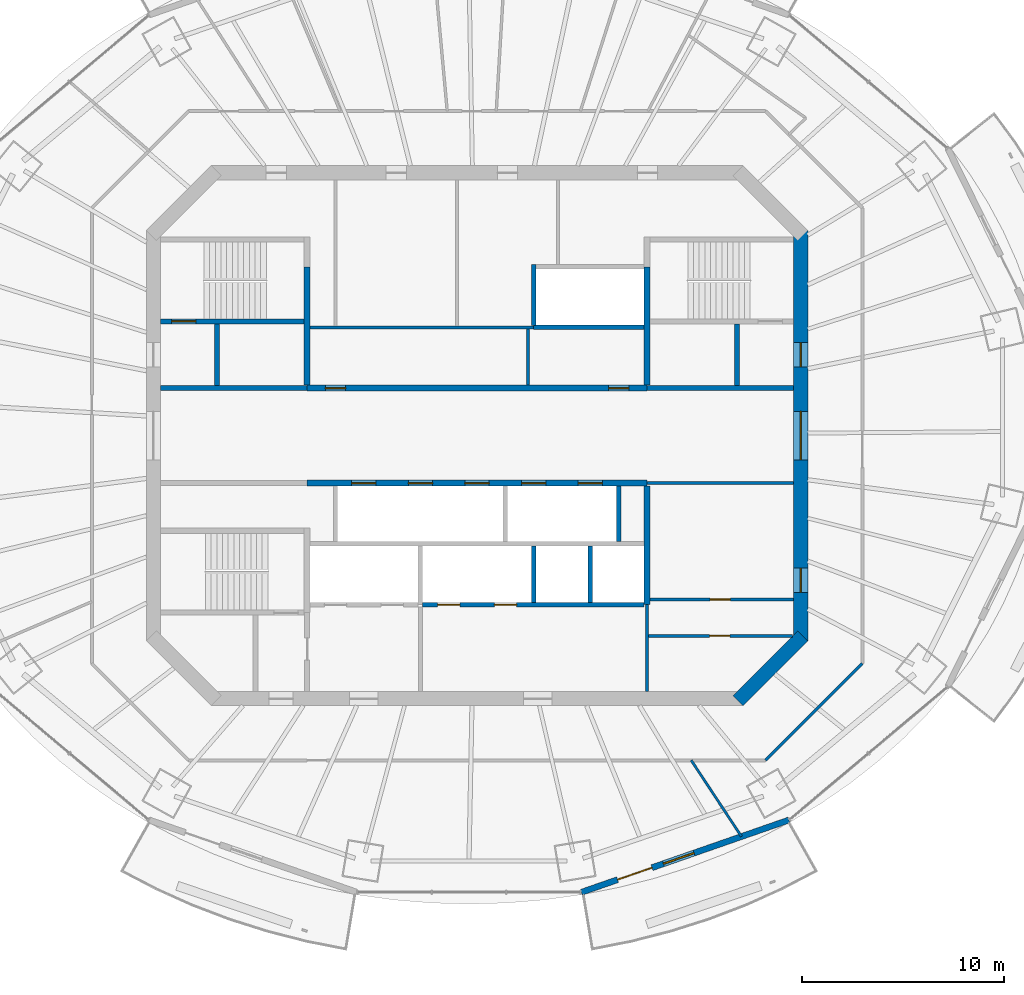
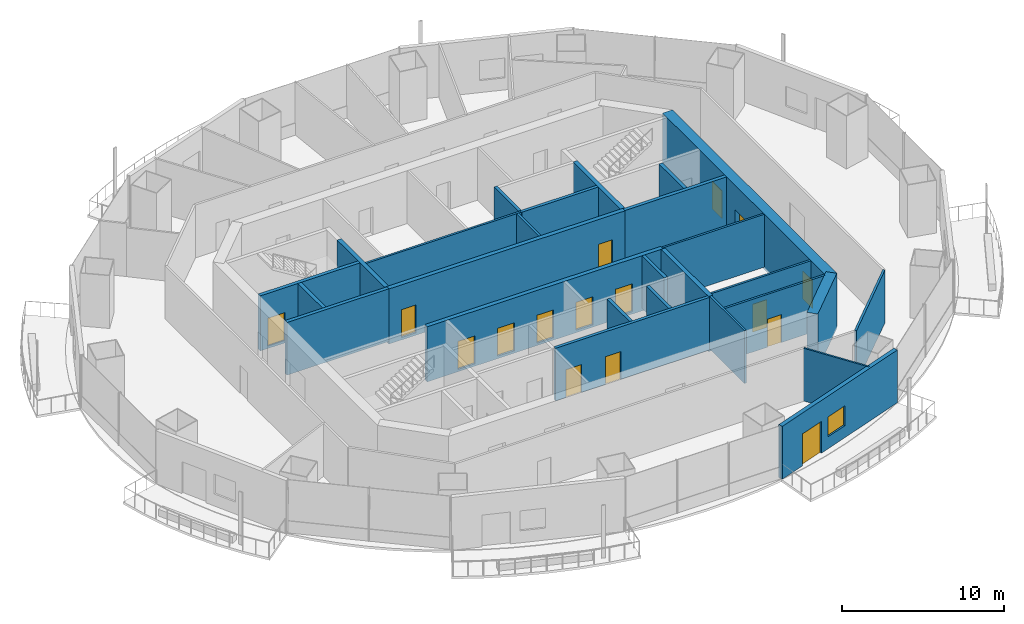
# One storey, part 9 of 16: 27 walls, 16 doors, 1 window, 17 openings.
"""IFC4 building model written with IfcOpenShell, lengths in metres."""

import ifcopenshell
import ifcopenshell.guid

model = None  # the IFC model being written
_history = None  # IfcOwnerHistory: only IFC2X3 demands one
_inside = {}  # id of a spatial element -> (the spatial element, [elements in it])
_under = {}  # id of a project, library or spatial element -> (it, [spatial elements below it])
_declared = {}  # id of a project -> (the project, [libraries it declares])
_typed = {}  # id of a type object -> (the type object, [elements of that type])
_made_of = {}  # id of a material, layer set ... -> (it, [elements and type objects made of it])


def new_model(schema):
    """Start an empty IFC model of exactly this schema.

    Asked for "IFC4X3", IfcOpenShell would pick the latest addendum, in which some entities
    have other attributes; the version numbers below select the first issue.
    IFC2X3 requires an IfcOwnerHistory on every rooted entity: one is made here for all.
    """
    global model, _history
    if schema == "IFC4X3":
        model = ifcopenshell.file(schema_version=(4, 3, 0, 0))
    else:
        model = ifcopenshell.file(schema=schema)
    _inside.clear()
    _under.clear()
    _declared.clear()
    _typed.clear()
    _made_of.clear()
    _history = None
    if model.schema == "IFC2X3":
        org = make("IfcOrganization", Name="unknown")
        user = make(
            "IfcPersonAndOrganization",
            ThePerson=make("IfcPerson", FamilyName="unknown"),
            TheOrganization=org,
        )
        app = make(
            "IfcApplication",
            ApplicationDeveloper=org,
            Version="unknown",
            ApplicationFullName="unknown",
            ApplicationIdentifier="unknown",
        )
        _history = make(
            "IfcOwnerHistory",
            OwningUser=user,
            OwningApplication=app,
            ChangeAction="ADDED",
            CreationDate=0,
        )
    return model


def make(cls, **values):
    """One entity of the class cls with the attributes given. An attribute that is None is left unset."""
    return model.create_entity(
        cls, **{name: value for name, value in values.items() if value is not None}
    )


def rooted(cls, **values):
    """An entity with a GlobalId (a new one), such as an element, a storey or a relation."""
    return make(cls, GlobalId=ifcopenshell.guid.new(), OwnerHistory=_history, **values)


def si_unit(unit_type, name, prefix=None):
    """IfcSIUnit, for example si_unit("LENGTHUNIT", "METRE", prefix="MILLI")."""
    return make("IfcSIUnit", UnitType=unit_type, Prefix=prefix, Name=name)


def assignment(units):
    """IfcUnitAssignment: the units of a project."""
    return None if units is None else make("IfcUnitAssignment", Units=units)


def point(xyz):
    """IfcCartesianPoint."""
    return None if xyz is None else make("IfcCartesianPoint", Coordinates=xyz)


def direction(xyz):
    """IfcDirection."""
    return None if xyz is None else make("IfcDirection", DirectionRatios=xyz)


def frame(location, z_axis=None, x_axis=None):
    """IfcAxis2Placement3D, a coordinate frame: its origin and axes. An axis left out is left unset."""
    return make(
        "IfcAxis2Placement3D",
        Location=point(location),
        Axis=direction(z_axis),
        RefDirection=direction(x_axis),
    )


def frame_2d(location, x_axis=None):
    """IfcAxis2Placement2D, a coordinate frame in the plane: its origin and x axis."""
    return make(
        "IfcAxis2Placement2D", Location=point(location), RefDirection=direction(x_axis)
    )


def origin():
    """The frame at (0, 0, 0) with its axes left unset."""
    return frame((0.0, 0.0, 0.0))


def place(relative_to, where):
    """IfcLocalPlacement: puts the frame where relative to a parent placement (None: the world)."""
    return make(
        "IfcLocalPlacement", PlacementRelTo=relative_to, RelativePlacement=where
    )


def context(
    kind, dimensions, precision=None, world=None, true_north=None, identifier=None
):
    """IfcGeometricRepresentationContext, for example the 3D "Model" context."""
    return make(
        "IfcGeometricRepresentationContext",
        ContextIdentifier=identifier,
        ContextType=kind,
        CoordinateSpaceDimension=dimensions,
        Precision=precision,
        WorldCoordinateSystem=world,
        TrueNorth=true_north,
    )


def subcontext(parent, identifier, kind, view, scale=None):
    """IfcGeometricRepresentationSubContext, for example "Body" below "Model"."""
    return make(
        "IfcGeometricRepresentationSubContext",
        ContextIdentifier=identifier,
        ContextType=kind,
        ParentContext=parent,
        TargetScale=scale,
        TargetView=view,
    )


def project(units=None, contexts=None):
    """IfcProject with its units and contexts."""
    return rooted(
        "IfcProject",
        Name="project",
        RepresentationContexts=contexts,
        UnitsInContext=assignment(units),
    )


def spatial(cls, under=None, at=None, **own):
    """A site, building, storey or space (cls), placed at a placement, below another one or the project."""
    s = rooted(cls, ObjectPlacement=at, **own)
    if under is not None:
        _under.setdefault(under.id(), (under, []))[1].append(s)
    return s


def profile(cls, at=None, kind="AREA", **sizes):
    """A parametric profile (cls). Its sizes go by their IFC names, for example OverallWidth=200.0."""
    return make(cls, ProfileType=kind, Position=at, **sizes)


def rectangle(**sizes):
    """IfcRectangleProfileDef."""
    return profile("IfcRectangleProfileDef", **sizes)


def extrude(swept, where, along, depth):
    """IfcExtrudedAreaSolid: the profile swept, set in the frame where, extruded along a direction by depth."""
    return make(
        "IfcExtrudedAreaSolid",
        SweptArea=swept,
        Position=where,
        ExtrudedDirection=direction(along),
        Depth=depth,
    )


def shape(context_of_items, identifier, shape_type, items):
    """IfcShapeRepresentation: the items that make up one representation, for example the "Body"."""
    return make(
        "IfcShapeRepresentation",
        ContextOfItems=context_of_items,
        RepresentationIdentifier=identifier,
        RepresentationType=shape_type,
        Items=items,
    )


def material(Name=None, Category=None):
    """IfcMaterial."""
    return make("IfcMaterial", Name=Name, Category=Category)


def layer(
    of_material, thickness, ventilated=None, Name=None, Category=None, Priority=None
):
    """IfcMaterialLayer: one layer of a wall or slab, of a material (None: an air gap)."""
    return make(
        "IfcMaterialLayer",
        Material=of_material,
        LayerThickness=thickness,
        IsVentilated=ventilated,
        Name=Name,
        Category=Category,
        Priority=Priority,
    )


def layer_set(layers, Name=None):
    """IfcMaterialLayerSet."""
    return make("IfcMaterialLayerSet", MaterialLayers=layers, LayerSetName=Name)


def made_of(thing, what):
    """Note that an element or type object is made of a material, layer set ...; save() writes the relation."""
    if what is not None:
        _made_of.setdefault(what.id(), (what, []))[1].append(thing)
    return thing


def type_object(cls, material=None, **own):
    """A type object (cls), such as IfcWallType, which elements share."""
    return made_of(rooted(cls, **own), material)


def element(
    cls,
    number,
    at=None,
    inside=None,
    cuts=None,
    type_object=None,
    material=None,
    context=None,
    identifier="Body",
    shape_type=None,
    held_by="IfcProductDefinitionShape",
    body=None,
    shapes=None,
    **own,
):
    """One element of the class cls, such as IfcWall. Its Tag is "e" and its number.

    at: its placement. inside: the storey or other place that contains it. cuts: it is an
    opening in that element (IfcRelVoidsElement). A single representation is given by context,
    identifier, shape_type and body (its items); several are given by shapes. held_by: the class
    of the entity that holds the representations. save() writes the other relations.
    """
    e = rooted(cls, Tag="e%d" % number, ObjectPlacement=at, **own)
    if body is not None:
        shapes = [shape(context, identifier, shape_type, body)]
    if shapes is not None:
        e.Representation = make(held_by, Representations=shapes)
    if inside is not None:
        _inside.setdefault(inside.id(), (inside, []))[1].append(e)
    if cuts is not None:
        rooted(
            "IfcRelVoidsElement", RelatingBuildingElement=cuts, RelatedOpeningElement=e
        )
    if type_object is not None:
        _typed.setdefault(type_object.id(), (type_object, []))[1].append(e)
    return made_of(e, material)


def fill(opening, filler):
    """IfcRelFillsElement: the door or window that sits in an opening."""
    return rooted(
        "IfcRelFillsElement",
        RelatingOpeningElement=opening,
        RelatedBuildingElement=filler,
    )


def aggregate(whole, parts):
    """IfcRelAggregates: a whole, such as a stair, and the parts it consists of."""
    return rooted("IfcRelAggregates", RelatingObject=whole, RelatedObjects=parts)


def save(model, path):
    """Write the relations noted so far, then the file.

    IfcRelAggregates (storeys below a building ...), IfcRelContainedInSpatialStructure (elements
    in a storey), IfcRelDefinesByType, IfcRelAssociatesMaterial and IfcRelDeclares: one each for
    every whole, place, type object, material and project.
    """
    for whole, parts in _under.values():
        aggregate(whole, parts)
    for where, things in _inside.values():
        rooted(
            "IfcRelContainedInSpatialStructure",
            RelatedElements=things,
            RelatingStructure=where,
        )
    for kind, things in _typed.values():
        rooted("IfcRelDefinesByType", RelatedObjects=things, RelatingType=kind)
    for what, things in _made_of.values():
        rooted("IfcRelAssociatesMaterial", RelatedObjects=things, RelatingMaterial=what)
    for by, libraries in _declared.values():
        rooted("IfcRelDeclares", RelatingContext=by, RelatedDefinitions=libraries)
    model.write(path)


model = new_model("IFC4")

# Units and contexts
model_context = context("Model", 3, precision=1e-05, world=origin(), true_north=direction((0.0, 1.0)))
body_context = subcontext(model_context, "Body", "Model", "MODEL_VIEW")
ifc_project = project(units=[si_unit("LENGTHUNIT", "METRE"), si_unit("AREAUNIT", "SQUARE_METRE"), si_unit("VOLUMEUNIT", "CUBIC_METRE"), si_unit("PLANEANGLEUNIT", "RADIAN"), si_unit("MASSUNIT", "GRAM", prefix="KILO")], contexts=[model_context])

# Site, building, storey
site_placement = place(None, origin())
site = spatial("IfcSite", under=ifc_project, at=site_placement, CompositionType="ELEMENT")
building_placement = place(site_placement, origin())
building = spatial("IfcBuilding", under=site, at=building_placement, Name="Marenthal Gate Tower", CompositionType="ELEMENT")
storey_placement = place(building_placement, frame((0.0, 0.0, 301.10009765625)))
storey = spatial("IfcBuildingStorey", under=building, at=storey_placement, Name="L67", CompositionType="ELEMENT", Elevation=301.10009765625)

# Wall
ifc_material_1 = material(Name="Concrete 60 MPa", Category="concrete")
ifc_layer_1 = layer(ifc_material_1, 0.699951171875)
ifc_layer_set_1 = layer_set([ifc_layer_1], Name="Core shear wall 700")
wall_type_1 = type_object("IfcWallType", Name="Core shear wall 700", PredefinedType="SHEAR", material=ifc_layer_set_1)
wall_1_placement = place(storey_placement, frame((12.8974609375, -13.1025390625, -0.18017578125), z_axis=(0.0, 0.0, 1.0), x_axis=(0.707106781187, 0.707106781187, 0.0)))
element("IfcWall", 1, at=wall_1_placement, inside=storey, type_object=wall_type_1, Name="Core wall 01", PredefinedType="SHEAR", context=body_context, shape_type="SweptSolid", body=[
    extrude(rectangle(XDim=4.53271484375, YDim=0.699951171875, at=frame_2d((2.266357421875, 0.0))), origin(), (0.0, 0.0, 1.0), 4.150146484375),
])

# Wall, openings, doors
wall_2_placement = place(storey_placement, frame((16.0, -10.14501953125, -0.18017578125), z_axis=(0.0, 0.0, 1.0), x_axis=(0.0, 1.0, 0.0)))
wall_2 = element("IfcWall", 2, at=wall_2_placement, inside=storey, type_object=wall_type_1, Name="Core wall 02", PredefinedType="SHEAR", context=body_context, shape_type="SweptSolid", body=[
    extrude(rectangle(XDim=20.2900390625, YDim=0.699951171875, at=frame_2d((10.14501953125, 0.0))), origin(), (0.0, 0.0, 1.0), 4.150146484375),
])
opening_1_placement = place(wall_2_placement, frame((8.945068359375, 0.0, 0.179931640625)))
opening_1 = element("IfcOpeningElement", 3, at=opening_1_placement, cuts=wall_2, Name="Opening D003.02", PredefinedType="OPENING", context=body_context, shape_type="SweptSolid", body=[
    extrude(rectangle(XDim=2.39990234375, YDim=2.10009765625, at=frame_2d((1.199951171875, 1.050048828125))), frame((0.0, 0.35986328125, 0.0), z_axis=(0.0, -1.0, 0.0), x_axis=(1.0, 0.0, 0.0)), (0.0, 0.0, 1.0), 0.719970703125),
])
opening_2_placement = place(wall_2_placement, frame((13.544921875, 0.0, 0.179931640625)))
opening_2 = element("IfcOpeningElement", 4, at=opening_2_placement, cuts=wall_2, Name="Opening D001.05", PredefinedType="OPENING", context=body_context, shape_type="SweptSolid", body=[
    extrude(rectangle(XDim=1.199951171875, YDim=2.10009765625, at=frame_2d((0.60009765625, 1.050048828125))), frame((0.0, 0.35986328125, 0.0), z_axis=(0.0, -1.0, 0.0), x_axis=(1.0, 0.0, 0.0)), (0.0, 0.0, 1.0), 0.719970703125),
])
opening_3_placement = place(wall_2_placement, frame((2.39990234375, 0.0, 0.179931640625)))
opening_3 = element("IfcOpeningElement", 5, at=opening_3_placement, cuts=wall_2, Name="Opening D006.01", PredefinedType="OPENING", context=body_context, shape_type="SweptSolid", body=[
    extrude(rectangle(XDim=1.199951171875, YDim=2.10009765625, at=frame_2d((0.60009765625, 1.050048828125))), frame((0.0, 0.35986328125, 0.0), z_axis=(0.0, -1.0, 0.0), x_axis=(1.0, 0.0, 0.0)), (0.0, 0.0, 1.0), 0.719970703125),
])
ifc_material_2 = material(Name="Steel fire door", Category="steel")
door_type_1 = type_object("IfcDoorType", Name="Double fire door FD 45 2400 x 2100", OperationType="DOUBLE_DOOR_SINGLE_SWING", PredefinedType="DOOR", material=ifc_material_2)
door_1_placement = place(opening_1_placement, origin())
door_1 = element("IfcDoor", 6, at=door_1_placement, inside=storey, type_object=door_type_1, Name="Door D003.02", OperationType="DOUBLE_DOOR_SINGLE_SWING", OverallHeight=2.10009765625, OverallWidth=2.39990234375, PredefinedType="DOOR", context=body_context, shape_type="SweptSolid", body=[
    extrude(rectangle(XDim=2.39990234375, YDim=2.10009765625, at=frame_2d((1.199951171875, 1.050048828125))), frame((0.0, 0.02490234375, 0.0), z_axis=(0.0, -1.0, 0.0), x_axis=(1.0, 0.0, 0.0)), (0.0, 0.0, 1.0), 0.050048828125),
])
fill(opening_1, door_1)
ifc_material_3 = material(Name="Steel fire door", Category="steel")
door_type_2 = type_object("IfcDoorType", Name="Fire door FD 45 1200 x 2100", OperationType="NOTDEFINED", PredefinedType="DOOR", material=ifc_material_3)
door_2_placement = place(opening_3_placement, origin())
door_2 = element("IfcDoor", 7, at=door_2_placement, inside=storey, type_object=door_type_2, Name="Door D006.01", OperationType="SINGLE_SWING_RIGHT", OverallHeight=2.10009765625, OverallWidth=1.199951171875, PredefinedType="DOOR", context=body_context, shape_type="SweptSolid", body=[
    extrude(rectangle(XDim=1.199951171875, YDim=2.10009765625, at=frame_2d((0.60009765625, 1.050048828125))), frame((0.0, 0.02490234375, 0.0), z_axis=(0.0, -1.0, 0.0), x_axis=(1.0, 0.0, 0.0)), (0.0, 0.0, 1.0), 0.050048828125),
])
fill(opening_3, door_2)
ifc_material_4 = material(Name="Steel fire door", Category="steel")
door_type_3 = type_object("IfcDoorType", Name="Fire door FD 90 1200 x 2100", OperationType="NOTDEFINED", PredefinedType="DOOR", material=ifc_material_4)
door_3_placement = place(opening_2_placement, origin())
door_3 = element("IfcDoor", 8, at=door_3_placement, inside=storey, type_object=door_type_3, Name="Door D001.05", OperationType="SINGLE_SWING_RIGHT", OverallHeight=2.10009765625, OverallWidth=1.199951171875, PredefinedType="DOOR", context=body_context, shape_type="SweptSolid", body=[
    extrude(rectangle(XDim=1.199951171875, YDim=2.10009765625, at=frame_2d((0.60009765625, 1.050048828125))), frame((0.0, 0.02490234375, 0.0), z_axis=(0.0, -1.0, 0.0), x_axis=(1.0, 0.0, 0.0)), (0.0, 0.0, 1.0), 0.050048828125),
])
fill(opening_2, door_3)

ifc_material_5 = material(Name="Concrete 50 MPa", Category="concrete")
ifc_layer_2 = layer(ifc_material_5, 0.300048828125)
ifc_layer_set_2 = layer_set([ifc_layer_2], Name="Hoistway shear wall 300")
wall_type_2 = type_object("IfcWallType", Name="Hoistway shear wall 300", PredefinedType="SHEAR", material=ifc_layer_set_2)
wall_3_placement = place(storey_placement, frame((-8.39990234375, -2.35009765625, -0.18017578125), z_axis=(0.0, 0.0, 1.0), x_axis=(1.0, 0.0, 0.0)))
wall_3 = element("IfcWall", 9, at=wall_3_placement, inside=storey, type_object=wall_type_2, Name="Hoistway wall 17", PredefinedType="SHEAR", context=body_context, shape_type="SweptSolid", body=[
    extrude(rectangle(XDim=16.7998046875, YDim=0.300048828125, at=frame_2d((8.39990234375, 0.0))), origin(), (0.0, 0.0, 1.0), 4.150146484375),
])
opening_4_placement = place(wall_3_placement, frame((2.199951171875, 0.0, 0.179931640625)))
opening_4 = element("IfcOpeningElement", 10, at=opening_4_placement, cuts=wall_3, Name="Opening LD-HP1", PredefinedType="OPENING", context=body_context, shape_type="SweptSolid", body=[
    extrude(rectangle(XDim=1.199951171875, YDim=2.10009765625, at=frame_2d((0.60009765625, 1.050048828125))), frame((0.0, 0.16015625, 0.0), z_axis=(0.0, -1.0, 0.0), x_axis=(1.0, 0.0, 0.0)), (0.0, 0.0, 1.0), 0.320068359375),
])
opening_5_placement = place(wall_3_placement, frame((5.0, 0.0, 0.179931640625)))
opening_5 = element("IfcOpeningElement", 11, at=opening_5_placement, cuts=wall_3, Name="Opening LD-HP2", PredefinedType="OPENING", context=body_context, shape_type="SweptSolid", body=[
    extrude(rectangle(XDim=1.199951171875, YDim=2.10009765625, at=frame_2d((0.60009765625, 1.050048828125))), frame((0.0, 0.16015625, 0.0), z_axis=(0.0, -1.0, 0.0), x_axis=(1.0, 0.0, 0.0)), (0.0, 0.0, 1.0), 0.320068359375),
])
opening_6_placement = place(wall_3_placement, frame((7.800048828125, 0.0, 0.179931640625)))
opening_6 = element("IfcOpeningElement", 12, at=opening_6_placement, cuts=wall_3, Name="Opening LD-HP3", PredefinedType="OPENING", context=body_context, shape_type="SweptSolid", body=[
    extrude(rectangle(XDim=1.199951171875, YDim=2.10009765625, at=frame_2d((0.60009765625, 1.050048828125))), frame((0.0, 0.16015625, 0.0), z_axis=(0.0, -1.0, 0.0), x_axis=(1.0, 0.0, 0.0)), (0.0, 0.0, 1.0), 0.320068359375),
])
opening_7_placement = place(wall_3_placement, frame((10.60009765625, 0.0, 0.179931640625)))
opening_7 = element("IfcOpeningElement", 13, at=opening_7_placement, cuts=wall_3, Name="Opening LD-HP4", PredefinedType="OPENING", context=body_context, shape_type="SweptSolid", body=[
    extrude(rectangle(XDim=1.199951171875, YDim=2.10009765625, at=frame_2d((0.60009765625, 1.050048828125))), frame((0.0, 0.16015625, 0.0), z_axis=(0.0, -1.0, 0.0), x_axis=(1.0, 0.0, 0.0)), (0.0, 0.0, 1.0), 0.320068359375),
])
opening_8_placement = place(wall_3_placement, frame((13.39990234375, 0.0, 0.179931640625)))
opening_8 = element("IfcOpeningElement", 14, at=opening_8_placement, cuts=wall_3, Name="Opening LD-HP5", PredefinedType="OPENING", context=body_context, shape_type="SweptSolid", body=[
    extrude(rectangle(XDim=1.199951171875, YDim=2.10009765625, at=frame_2d((0.60009765625, 1.050048828125))), frame((0.0, 0.16015625, 0.0), z_axis=(0.0, -1.0, 0.0), x_axis=(1.0, 0.0, 0.0)), (0.0, 0.0, 1.0), 0.320068359375),
])
ifc_material_6 = material(Name="Stainless steel sliding door", Category="steel")
door_type_4 = type_object("IfcDoorType", Name="Lift landing door FD 90 1200 x 2100", OperationType="DOUBLE_DOOR_SLIDING", PredefinedType="DOOR", material=ifc_material_6)
door_4_placement = place(opening_4_placement, origin())
door_4 = element("IfcDoor", 15, at=door_4_placement, inside=storey, type_object=door_type_4, Name="Lift landing door HP1", OperationType="DOUBLE_DOOR_SLIDING", OverallHeight=2.10009765625, OverallWidth=1.199951171875, PredefinedType="DOOR", context=body_context, shape_type="SweptSolid", body=[
    extrude(rectangle(XDim=1.199951171875, YDim=2.10009765625, at=frame_2d((0.60009765625, 1.050048828125))), frame((0.0, 0.02490234375, 0.0), z_axis=(0.0, -1.0, 0.0), x_axis=(1.0, 0.0, 0.0)), (0.0, 0.0, 1.0), 0.050048828125),
])
fill(opening_4, door_4)
door_5_placement = place(opening_5_placement, origin())
door_5 = element("IfcDoor", 16, at=door_5_placement, inside=storey, type_object=door_type_4, Name="Lift landing door HP2", OperationType="DOUBLE_DOOR_SLIDING", OverallHeight=2.10009765625, OverallWidth=1.199951171875, PredefinedType="DOOR", context=body_context, shape_type="SweptSolid", body=[
    extrude(rectangle(XDim=1.199951171875, YDim=2.10009765625, at=frame_2d((0.60009765625, 1.050048828125))), frame((0.0, 0.02490234375, 0.0), z_axis=(0.0, -1.0, 0.0), x_axis=(1.0, 0.0, 0.0)), (0.0, 0.0, 1.0), 0.050048828125),
])
fill(opening_5, door_5)
door_6_placement = place(opening_6_placement, origin())
door_6 = element("IfcDoor", 17, at=door_6_placement, inside=storey, type_object=door_type_4, Name="Lift landing door HP3", OperationType="DOUBLE_DOOR_SLIDING", OverallHeight=2.10009765625, OverallWidth=1.199951171875, PredefinedType="DOOR", context=body_context, shape_type="SweptSolid", body=[
    extrude(rectangle(XDim=1.199951171875, YDim=2.10009765625, at=frame_2d((0.60009765625, 1.050048828125))), frame((0.0, 0.02490234375, 0.0), z_axis=(0.0, -1.0, 0.0), x_axis=(1.0, 0.0, 0.0)), (0.0, 0.0, 1.0), 0.050048828125),
])
fill(opening_6, door_6)
door_7_placement = place(opening_7_placement, origin())
door_7 = element("IfcDoor", 18, at=door_7_placement, inside=storey, type_object=door_type_4, Name="Lift landing door HP4", OperationType="DOUBLE_DOOR_SLIDING", OverallHeight=2.10009765625, OverallWidth=1.199951171875, PredefinedType="DOOR", context=body_context, shape_type="SweptSolid", body=[
    extrude(rectangle(XDim=1.199951171875, YDim=2.10009765625, at=frame_2d((0.60009765625, 1.050048828125))), frame((0.0, 0.02490234375, 0.0), z_axis=(0.0, -1.0, 0.0), x_axis=(1.0, 0.0, 0.0)), (0.0, 0.0, 1.0), 0.050048828125),
])
fill(opening_7, door_7)
door_8_placement = place(opening_8_placement, origin())
door_8 = element("IfcDoor", 19, at=door_8_placement, inside=storey, type_object=door_type_4, Name="Lift landing door HP5", OperationType="DOUBLE_DOOR_SLIDING", OverallHeight=2.10009765625, OverallWidth=1.199951171875, PredefinedType="DOOR", context=body_context, shape_type="SweptSolid", body=[
    extrude(rectangle(XDim=1.199951171875, YDim=2.10009765625, at=frame_2d((0.60009765625, 1.050048828125))), frame((0.0, 0.02490234375, 0.0), z_axis=(0.0, -1.0, 0.0), x_axis=(1.0, 0.0, 0.0)), (0.0, 0.0, 1.0), 0.050048828125),
])
fill(opening_8, door_8)

wall_4_placement = place(storey_placement, frame((-8.39990234375, 2.35009765625, -0.18017578125), z_axis=(0.0, 0.0, 1.0), x_axis=(1.0, 0.0, 0.0)))
wall_4 = element("IfcWall", 20, at=wall_4_placement, inside=storey, type_object=wall_type_2, Name="Hoistway wall 20", PredefinedType="SHEAR", context=body_context, shape_type="SweptSolid", body=[
    extrude(rectangle(XDim=16.7998046875, YDim=0.300048828125, at=frame_2d((8.39990234375, 0.0))), origin(), (0.0, 0.0, 1.0), 4.150146484375),
])
opening_9_placement = place(wall_4_placement, frame((0.89990234375, 0.0, 0.179931640625)))
opening_9 = element("IfcOpeningElement", 21, at=opening_9_placement, cuts=wall_4, Name="Opening D005.01", PredefinedType="OPENING", context=body_context, shape_type="SweptSolid", body=[
    extrude(rectangle(XDim=1.0, YDim=2.10009765625, at=frame_2d((0.5, 1.050048828125))), frame((0.0, 0.16015625, 0.0), z_axis=(0.0, -1.0, 0.0), x_axis=(1.0, 0.0, 0.0)), (0.0, 0.0, 1.0), 0.320068359375),
])
opening_10_placement = place(wall_4_placement, frame((14.89990234375, 0.0, 0.179931640625)))
opening_10 = element("IfcOpeningElement", 22, at=opening_10_placement, cuts=wall_4, Name="Opening D005.02", PredefinedType="OPENING", context=body_context, shape_type="SweptSolid", body=[
    extrude(rectangle(XDim=1.0, YDim=2.10009765625, at=frame_2d((0.5, 1.050048828125))), frame((0.0, 0.16015625, 0.0), z_axis=(0.0, -1.0, 0.0), x_axis=(1.0, 0.0, 0.0)), (0.0, 0.0, 1.0), 0.320068359375),
])
ifc_material_7 = material(Name="Steel fire door", Category="steel")
door_type_5 = type_object("IfcDoorType", Name="Fire door FD 45 1000 x 2100", OperationType="NOTDEFINED", PredefinedType="DOOR", material=ifc_material_7)
door_9_placement = place(opening_9_placement, origin())
door_9 = element("IfcDoor", 23, at=door_9_placement, inside=storey, type_object=door_type_5, Name="Door D005.01", OperationType="SINGLE_SWING_RIGHT", OverallHeight=2.10009765625, OverallWidth=1.0, PredefinedType="DOOR", context=body_context, shape_type="SweptSolid", body=[
    extrude(rectangle(XDim=1.0, YDim=2.10009765625, at=frame_2d((0.5, 1.050048828125))), frame((0.0, 0.02490234375, 0.0), z_axis=(0.0, -1.0, 0.0), x_axis=(1.0, 0.0, 0.0)), (0.0, 0.0, 1.0), 0.050048828125),
])
fill(opening_9, door_9)
door_10_placement = place(opening_10_placement, origin())
door_10 = element("IfcDoor", 24, at=door_10_placement, inside=storey, type_object=door_type_5, Name="Door D005.02", OperationType="SINGLE_SWING_RIGHT", OverallHeight=2.10009765625, OverallWidth=1.0, PredefinedType="DOOR", context=body_context, shape_type="SweptSolid", body=[
    extrude(rectangle(XDim=1.0, YDim=2.10009765625, at=frame_2d((0.5, 1.050048828125))), frame((0.0, 0.02490234375, 0.0), z_axis=(0.0, -1.0, 0.0), x_axis=(1.0, 0.0, 0.0)), (0.0, 0.0, 1.0), 0.050048828125),
])
fill(opening_10, door_10)

# Walls
for number, where, z_axis, x_axis, name in (
    (25, (-8.39990234375, 2.5, -0.18017578125), (0.0, 0.0, 1.0), (0.0, 1.0, 0.0), "Hoistway wall 33"),
    (26, (8.39990234375, -8.35009765625, -0.18017578125), (0.0, 0.0, 1.0), (0.0, 1.0, 0.0), "Hoistway wall 48"),
    (27, (8.39990234375, 2.5, -0.18017578125), (0.0, 0.0, 1.0), (0.0, 1.0, 0.0), "Hoistway wall 49"),
):
    element("IfcWall", number, at=place(storey_placement, frame(where, z_axis=z_axis, x_axis=x_axis)), inside=storey, type_object=wall_type_2, Name=name, PredefinedType="SHEAR", context=body_context, shape_type="SweptSolid", body=[
        extrude(rectangle(XDim=5.85009765625, YDim=0.300048828125, at=frame_2d((2.925048828125, 0.0))), origin(), (0.0, 0.0, 1.0), 4.150146484375),
    ])

# Wall, openings, doors
ifc_material_8 = material(Name="Concrete 40 MPa", Category="concrete")
ifc_layer_3 = layer(ifc_material_8, 0.219970703125)
ifc_layer_set_3 = layer_set([ifc_layer_3], Name="Hoistway wall 220")
wall_type_3 = type_object("IfcWallType", Name="Hoistway wall 220", PredefinedType="STANDARD", material=ifc_layer_set_3)
wall_5_placement = place(storey_placement, frame((-2.68994140625, -8.35009765625, 0.0), z_axis=(0.0, 0.0, 1.0), x_axis=(1.0, 0.0, 0.0)))
wall_5 = element("IfcWall", 28, at=wall_5_placement, inside=storey, type_object=wall_type_3, Name="Hoistway wall 12", PredefinedType="STANDARD", context=body_context, shape_type="SweptSolid", body=[
    extrude(rectangle(XDim=10.93994140625, YDim=0.219970703125, at=frame_2d((5.469970703125, 0.0))), origin(), (0.0, 0.0, 1.0), 3.969970703125),
])
opening_11_placement = place(wall_5_placement, frame((0.739990234375, 0.0, 0.0)))
opening_11 = element("IfcOpeningElement", 29, at=opening_11_placement, cuts=wall_5, Name="Opening LD-SV1", PredefinedType="OPENING", context=body_context, shape_type="SweptSolid", body=[
    extrude(rectangle(XDim=1.10009765625, YDim=2.10009765625, at=frame_2d((0.550048828125, 1.050048828125))), frame((0.0, 0.1201171875, 0.0), z_axis=(0.0, -1.0, 0.0), x_axis=(1.0, 0.0, 0.0)), (0.0, 0.0, 1.0), 0.239990234375),
])
opening_12_placement = place(wall_5_placement, frame((3.5400390625, 0.0, 0.0)))
opening_12 = element("IfcOpeningElement", 30, at=opening_12_placement, cuts=wall_5, Name="Opening LD-SV2", PredefinedType="OPENING", context=body_context, shape_type="SweptSolid", body=[
    extrude(rectangle(XDim=1.10009765625, YDim=2.10009765625, at=frame_2d((0.550048828125, 1.050048828125))), frame((0.0, 0.1201171875, 0.0), z_axis=(0.0, -1.0, 0.0), x_axis=(1.0, 0.0, 0.0)), (0.0, 0.0, 1.0), 0.239990234375),
])
ifc_material_9 = material(Name="Stainless steel sliding door", Category="steel")
door_type_6 = type_object("IfcDoorType", Name="Lift landing door FD 90 1100 x 2100", OperationType="DOUBLE_DOOR_SLIDING", PredefinedType="DOOR", material=ifc_material_9)
door_11_placement = place(opening_11_placement, origin())
door_11 = element("IfcDoor", 31, at=door_11_placement, inside=storey, type_object=door_type_6, Name="Lift landing door SV1", OperationType="DOUBLE_DOOR_SLIDING", OverallHeight=2.10009765625, OverallWidth=1.10009765625, PredefinedType="DOOR", context=body_context, shape_type="SweptSolid", body=[
    extrude(rectangle(XDim=1.10009765625, YDim=2.10009765625, at=frame_2d((0.550048828125, 1.050048828125))), frame((0.0, 0.02490234375, 0.0), z_axis=(0.0, -1.0, 0.0), x_axis=(1.0, 0.0, 0.0)), (0.0, 0.0, 1.0), 0.050048828125),
])
fill(opening_11, door_11)
door_12_placement = place(opening_12_placement, origin())
door_12 = element("IfcDoor", 32, at=door_12_placement, inside=storey, type_object=door_type_6, Name="Lift landing door SV2", OperationType="DOUBLE_DOOR_SLIDING", OverallHeight=2.10009765625, OverallWidth=1.10009765625, PredefinedType="DOOR", context=body_context, shape_type="SweptSolid", body=[
    extrude(rectangle(XDim=1.10009765625, YDim=2.10009765625, at=frame_2d((0.550048828125, 1.050048828125))), frame((0.0, 0.02490234375, 0.0), z_axis=(0.0, -1.0, 0.0), x_axis=(1.0, 0.0, 0.0)), (0.0, 0.0, 1.0), 0.050048828125),
])
fill(opening_12, door_12)

# Walls
wall_6_placement = place(storey_placement, frame((2.800048828125, 5.35009765625, 0.0), z_axis=(0.0, 0.0, 1.0), x_axis=(1.0, 0.0, 0.0)))
element("IfcWall", 33, at=wall_6_placement, inside=storey, type_object=wall_type_3, Name="Hoistway wall 23", PredefinedType="STANDARD", context=body_context, shape_type="SweptSolid", body=[
    extrude(rectangle(XDim=5.449951171875, YDim=0.219970703125, at=frame_2d((2.72509765625, 0.0))), origin(), (0.0, 0.0, 1.0), 3.969970703125),
])
wall_7_placement = place(storey_placement, frame((2.800048828125, -8.239990234375, 0.0), z_axis=(0.0, 0.0, 1.0), x_axis=(0.0, 1.0, 0.0)))
element("IfcWall", 34, at=wall_7_placement, inside=storey, type_object=wall_type_3, Name="Hoistway wall 42", PredefinedType="STANDARD", context=body_context, shape_type="SweptSolid", body=[
    extrude(rectangle(XDim=2.780029296875, YDim=0.219970703125, at=frame_2d((1.39013671875, 0.0))), origin(), (0.0, 0.0, 1.0), 3.969970703125),
])
wall_8_placement = place(storey_placement, frame((2.800048828125, 5.4599609375, 0.0), z_axis=(0.0, 0.0, 1.0), x_axis=(0.0, 1.0, 0.0)))
element("IfcWall", 35, at=wall_8_placement, inside=storey, type_object=wall_type_3, Name="Hoistway wall 43", PredefinedType="STANDARD", context=body_context, shape_type="SweptSolid", body=[
    extrude(rectangle(XDim=3.0, YDim=0.219970703125, at=frame_2d((1.5, 0.0))), origin(), (0.0, 0.0, 1.0), 3.969970703125),
])
wall_9_placement = place(storey_placement, frame((5.60009765625, -8.239990234375, 0.0), z_axis=(0.0, 0.0, 1.0), x_axis=(0.0, 1.0, 0.0)))
element("IfcWall", 36, at=wall_9_placement, inside=storey, type_object=wall_type_3, Name="Hoistway wall 45", PredefinedType="STANDARD", context=body_context, shape_type="SweptSolid", body=[
    extrude(rectangle(XDim=2.780029296875, YDim=0.219970703125, at=frame_2d((1.39013671875, 0.0))), origin(), (0.0, 0.0, 1.0), 3.969970703125),
])
wall_10_placement = place(storey_placement, frame((7.0, -5.239990234375, 0.0), z_axis=(0.0, 0.0, 1.0), x_axis=(0.0, 1.0, 0.0)))
element("IfcWall", 37, at=wall_10_placement, inside=storey, type_object=wall_type_3, Name="Hoistway wall 46", PredefinedType="STANDARD", context=body_context, shape_type="SweptSolid", body=[
    extrude(rectangle(XDim=2.739990234375, YDim=0.219970703125, at=frame_2d((1.3701171875, 0.0))), origin(), (0.0, 0.0, 1.0), 3.969970703125),
])
ifc_material_10 = material(Name="Gypsum board on steel studs", Category="steel")
ifc_layer_4 = layer(ifc_material_10, 0.1201171875)
ifc_layer_set_4 = layer_set([ifc_layer_4], Name="Partition 120")
wall_type_4 = type_object("IfcWallType", Name="Partition 120", PredefinedType="PARTITIONING", material=ifc_layer_set_4)
wall_11_placement = place(storey_placement, frame((10.586669921875, -16.050048828125, 0.0), z_axis=(0.0, 0.0, 1.0), x_axis=(0.550627599646, -0.83475100869, 0.0)))
element("IfcWall", 38, at=wall_11_placement, inside=storey, type_object=wall_type_4, Name="Partition wall 64", PredefinedType="PARTITIONING", context=body_context, shape_type="SweptSolid", body=[
    extrude(rectangle(XDim=4.517333984375, YDim=0.1201171875, at=frame_2d((2.2587890625, 0.0))), origin(), (0.0, 0.0, 1.0), 3.969970703125),
])

# Wall, opening, door
ifc_material_11 = material(Name="Gypsum board on steel studs", Category="steel")
ifc_layer_5 = layer(ifc_material_11, 0.14990234375)
ifc_layer_set_5 = layer_set([ifc_layer_5], Name="Partition 150")
wall_type_5 = type_object("IfcWallType", Name="Partition 150", PredefinedType="PARTITIONING", material=ifc_layer_set_5)
wall_12_placement = place(storey_placement, frame((8.47509765625, -9.89990234375, 0.0), z_axis=(0.0, 0.0, 1.0), x_axis=(1.0, 0.0, 0.0)))
wall_12 = element("IfcWall", 39, at=wall_12_placement, inside=storey, type_object=wall_type_5, Name="Partition wall 09", PredefinedType="PARTITIONING", context=body_context, shape_type="SweptSolid", body=[
    extrude(rectangle(XDim=7.1298828125, YDim=0.14990234375, at=frame_2d((3.56494140625, 0.0))), origin(), (0.0, 0.0, 1.0), 3.969970703125),
])
opening_13_placement = place(wall_12_placement, frame((3.027587890625, 0.0, 0.0)))
opening_13 = element("IfcOpeningElement", 40, at=opening_13_placement, cuts=wall_12, Name="Opening D005.08", PredefinedType="OPENING", context=body_context, shape_type="SweptSolid", body=[
    extrude(rectangle(XDim=1.0, YDim=2.10009765625, at=frame_2d((0.5, 1.050048828125))), frame((0.0, 0.0849609375, 0.0), z_axis=(0.0, -1.0, 0.0), x_axis=(1.0, 0.0, 0.0)), (0.0, 0.0, 1.0), 0.169921875),
])
door_13_placement = place(opening_13_placement, frame((1.0, 0.0, 0.0), z_axis=(0.0, 0.0, 1.0), x_axis=(-1.0, 0.0, 0.0)))
door_13 = element("IfcDoor", 41, at=door_13_placement, inside=storey, type_object=door_type_5, Name="Door D005.08", OperationType="SINGLE_SWING_LEFT", OverallHeight=2.10009765625, OverallWidth=1.0, PredefinedType="DOOR", context=body_context, shape_type="SweptSolid", body=[
    extrude(rectangle(XDim=1.0, YDim=2.10009765625, at=frame_2d((0.5, 1.050048828125))), frame((0.0, 0.02490234375, 0.0), z_axis=(0.0, -1.0, 0.0), x_axis=(1.0, 0.0, 0.0)), (0.0, 0.0, 1.0), 0.050048828125),
])
fill(opening_13, door_13)

wall_13_placement = place(storey_placement, frame((8.550048828125, -8.10009765625, 0.0), z_axis=(0.0, 0.0, 1.0), x_axis=(1.0, 0.0, 0.0)))
wall_13 = element("IfcWall", 42, at=wall_13_placement, inside=storey, type_object=wall_type_5, Name="Partition wall 13", PredefinedType="PARTITIONING", context=body_context, shape_type="SweptSolid", body=[
    extrude(rectangle(XDim=7.099853515625, YDim=0.14990234375, at=frame_2d((3.5498046875, 0.0))), origin(), (0.0, 0.0, 1.0), 3.969970703125),
])
opening_14_placement = place(wall_13_placement, frame((2.97509765625, 0.0, 0.0)))
opening_14 = element("IfcOpeningElement", 43, at=opening_14_placement, cuts=wall_13, Name="Opening D005.07", PredefinedType="OPENING", context=body_context, shape_type="SweptSolid", body=[
    extrude(rectangle(XDim=1.0, YDim=2.10009765625, at=frame_2d((0.5, 1.050048828125))), frame((0.0, 0.0849609375, 0.0), z_axis=(0.0, -1.0, 0.0), x_axis=(1.0, 0.0, 0.0)), (0.0, 0.0, 1.0), 0.169921875),
])
door_14_placement = place(opening_14_placement, origin())
door_14 = element("IfcDoor", 44, at=door_14_placement, inside=storey, type_object=door_type_5, Name="Door D005.07", OperationType="SINGLE_SWING_RIGHT", OverallHeight=2.10009765625, OverallWidth=1.0, PredefinedType="DOOR", context=body_context, shape_type="SweptSolid", body=[
    extrude(rectangle(XDim=1.0, YDim=2.10009765625, at=frame_2d((0.5, 1.050048828125))), frame((0.0, 0.02490234375, 0.0), z_axis=(0.0, -1.0, 0.0), x_axis=(1.0, 0.0, 0.0)), (0.0, 0.0, 1.0), 0.050048828125),
])
fill(opening_14, door_14)

# Walls
wall_14_placement = place(storey_placement, frame((8.39990234375, -2.35009765625, 0.0), z_axis=(0.0, 0.0, 1.0), x_axis=(1.0, 0.0, 0.0)))
element("IfcWall", 45, at=wall_14_placement, inside=storey, type_object=wall_type_5, Name="Partition wall 18", PredefinedType="PARTITIONING", context=body_context, shape_type="SweptSolid", body=[
    extrude(rectangle(XDim=7.25, YDim=0.14990234375, at=frame_2d((3.625, 0.0))), origin(), (0.0, 0.0, 1.0), 3.969970703125),
])
wall_15_placement = place(storey_placement, frame((-8.25, 5.35009765625, 0.0), z_axis=(0.0, 0.0, 1.0), x_axis=(1.0, 0.0, 0.0)))
element("IfcWall", 46, at=wall_15_placement, inside=storey, type_object=wall_type_5, Name="Partition wall 22", PredefinedType="PARTITIONING", context=body_context, shape_type="SweptSolid", body=[
    extrude(rectangle(XDim=11.050048828125, YDim=0.14990234375, at=frame_2d((5.52490234375, 0.0))), origin(), (0.0, 0.0, 1.0), 3.969970703125),
])
wall_16_placement = place(storey_placement, frame((2.52001953125, 2.5, 0.0), z_axis=(0.0, 0.0, 1.0), x_axis=(0.0, 1.0, 0.0)))
element("IfcWall", 47, at=wall_16_placement, inside=storey, type_object=wall_type_5, Name="Partition wall 41", PredefinedType="PARTITIONING", context=body_context, shape_type="SweptSolid", body=[
    extrude(rectangle(XDim=2.77490234375, YDim=0.14990234375, at=frame_2d((1.387451171875, 0.0))), origin(), (0.0, 0.0, 1.0), 3.969970703125),
])
wall_17_placement = place(storey_placement, frame((8.39990234375, -12.64990234375, 0.0), z_axis=(0.0, 0.0, 1.0), x_axis=(0.0, 1.0, 0.0)))
element("IfcWall", 48, at=wall_17_placement, inside=storey, type_object=wall_type_5, Name="Partition wall 47", PredefinedType="PARTITIONING", context=body_context, shape_type="SweptSolid", body=[
    extrude(rectangle(XDim=4.2998046875, YDim=0.14990234375, at=frame_2d((2.14990234375, 0.0))), origin(), (0.0, 0.0, 1.0), 3.969970703125),
])
wall_18_placement = place(storey_placement, frame((19.050048828125, -11.263427734375, 0.0), z_axis=(0.0, 0.0, 1.0), x_axis=(-0.707106781187, -0.707106781187, 0.0)))
element("IfcWall", 49, at=wall_18_placement, inside=storey, type_object=wall_type_5, Name="Partition wall 69", PredefinedType="PARTITIONING", context=body_context, shape_type="SweptSolid", body=[
    extrude(rectangle(XDim=6.769287109375, YDim=0.14990234375, at=frame_2d((3.384765625, 0.0))), origin(), (0.0, 0.0, 1.0), 3.969970703125),
])
ifc_material_12 = material(Name="Concrete 40 MPa", Category="concrete")
ifc_layer_6 = layer(ifc_material_12, 0.25)
ifc_layer_set_6 = layer_set([ifc_layer_6], Name="Stair enclosure wall 250")
wall_type_6 = type_object("IfcWallType", Name="Stair enclosure wall 250", PredefinedType="STANDARD", material=ifc_layer_set_6)
for number, where, z_axis, x_axis, name in (
    (50, (-15.64990234375, 2.35009765625, 0.0), (0.0, 0.0, 1.0), (1.0, 0.0, 0.0), "Stair wall 19"),
    (51, (8.39990234375, 2.35009765625, 0.0), (0.0, 0.0, 1.0), (1.0, 0.0, 0.0), "Stair wall 21"),
):
    element("IfcWall", number, at=place(storey_placement, frame(where, z_axis=z_axis, x_axis=x_axis)), inside=storey, type_object=wall_type_6, Name=name, PredefinedType="STANDARD", context=body_context, shape_type="SweptSolid", body=[
        extrude(rectangle(XDim=7.25, YDim=0.25, at=frame_2d((3.625, 0.0))), origin(), (0.0, 0.0, 1.0), 3.969970703125),
    ])
for number, where, z_axis, x_axis, name in (
    (52, (-12.85009765625, 2.47509765625, 0.0), (0.0, 0.0, 1.0), (0.0, 1.0, 0.0), "Stair wall 29"),
    (53, (12.85009765625, 2.47509765625, 0.0), (0.0, 0.0, 1.0), (0.0, 1.0, 0.0), "Stair wall 51"),
):
    element("IfcWall", number, at=place(storey_placement, frame(where, z_axis=z_axis, x_axis=x_axis)), inside=storey, type_object=wall_type_6, Name=name, PredefinedType="STANDARD", context=body_context, shape_type="SweptSolid", body=[
        extrude(rectangle(XDim=3.0498046875, YDim=0.25, at=frame_2d((1.52490234375, 0.0))), origin(), (0.0, 0.0, 1.0), 3.969970703125),
    ])

# Wall, opening, door
ifc_material_13 = material(Name="Concrete 50 MPa", Category="concrete")
ifc_layer_7 = layer(ifc_material_13, 0.25)
ifc_layer_set_7 = layer_set([ifc_layer_7], Name="Stair shear wall 250")
wall_type_7 = type_object("IfcWallType", Name="Stair shear wall 250", PredefinedType="SHEAR", material=ifc_layer_set_7)
wall_19_placement = place(storey_placement, frame((-15.64990234375, 5.64990234375, -0.18017578125), z_axis=(0.0, 0.0, 1.0), x_axis=(1.0, 0.0, 0.0)))
wall_19 = element("IfcWall", 54, at=wall_19_placement, inside=storey, type_object=wall_type_7, Name="Stair wall 24", PredefinedType="SHEAR", context=body_context, shape_type="SweptSolid", body=[
    extrude(rectangle(XDim=7.099853515625, YDim=0.25, at=frame_2d((3.5498046875, 0.0))), origin(), (0.0, 0.0, 1.0), 4.150146484375),
])
opening_15_placement = place(wall_19_placement, frame((0.550048828125, 0.0, 0.179931640625)))
opening_15 = element("IfcOpeningElement", 55, at=opening_15_placement, cuts=wall_19, Name="Opening D001.01", PredefinedType="OPENING", context=body_context, shape_type="SweptSolid", body=[
    extrude(rectangle(XDim=1.199951171875, YDim=2.10009765625, at=frame_2d((0.60009765625, 1.050048828125))), frame((0.0, 0.135009765625, 0.0), z_axis=(0.0, -1.0, 0.0), x_axis=(1.0, 0.0, 0.0)), (0.0, 0.0, 1.0), 0.27001953125),
])
door_15_placement = place(opening_15_placement, origin())
door_15 = element("IfcDoor", 56, at=door_15_placement, inside=storey, type_object=door_type_3, Name="Door D001.01", OperationType="SINGLE_SWING_RIGHT", OverallHeight=2.10009765625, OverallWidth=1.199951171875, PredefinedType="DOOR", context=body_context, shape_type="SweptSolid", body=[
    extrude(rectangle(XDim=1.199951171875, YDim=2.10009765625, at=frame_2d((0.60009765625, 1.050048828125))), frame((0.0, 0.02490234375, 0.0), z_axis=(0.0, -1.0, 0.0), x_axis=(1.0, 0.0, 0.0)), (0.0, 0.0, 1.0), 0.050048828125),
])
fill(opening_15, door_15)

# Wall, openings, door, window
ifc_material_14 = material(Name="Terracotta cladding on insulated concrete-block backing", Category="masonry")
ifc_layer_8 = layer(ifc_material_14, 0.300048828125)
ifc_layer_set_8 = layer_set([ifc_layer_8], Name="Terracotta facade wall 300")
wall_type_8 = type_object("IfcWallType", Name="Terracotta facade wall 300", PredefinedType="SOLIDWALL", material=ifc_layer_set_8)
wall_20_placement = place(storey_placement, frame((5.155517578125, -22.577880859375, 0.0), z_axis=(0.0, 0.0, 1.0), x_axis=(0.944387657449, 0.32883423249, 0.0)))
wall_20 = element("IfcWall", 57, at=wall_20_placement, inside=storey, type_object=wall_type_8, Name="Terracotta facade wall L67 bay 13", PredefinedType="SOLIDWALL", context=body_context, shape_type="SweptSolid", body=[
    extrude(rectangle(XDim=10.869384765625, YDim=0.300048828125, at=frame_2d((5.4345703125, 0.0))), origin(), (0.0, 0.0, 1.0), 3.969970703125),
])
opening_16_placement = place(wall_20_placement, frame((1.89990234375, 0.0, 0.0)))
opening_16 = element("IfcOpeningElement", 58, at=opening_16_placement, cuts=wall_20, Name="Opening BD-L67-13", PredefinedType="OPENING", context=body_context, shape_type="SweptSolid", body=[
    extrude(rectangle(XDim=1.800048828125, YDim=2.39990234375, at=frame_2d((0.89990234375, 1.199951171875))), frame((0.0, 0.16015625, 0.0), z_axis=(0.0, -1.0, 0.0), x_axis=(1.0, 0.0, 0.0)), (0.0, 0.0, 1.0), 0.320068359375),
])
opening_17_placement = place(wall_20_placement, frame((4.300048828125, 0.0, 0.89990234375)))
opening_17 = element("IfcOpeningElement", 59, at=opening_17_placement, cuts=wall_20, Name="Opening WN3-L67-13", PredefinedType="OPENING", context=body_context, shape_type="SweptSolid", body=[
    extrude(rectangle(XDim=1.60009765625, YDim=1.5, at=frame_2d((0.800048828125, 0.75))), frame((0.0, 0.16015625, 0.0), z_axis=(0.0, -1.0, 0.0), x_axis=(1.0, 0.0, 0.0)), (0.0, 0.0, 1.0), 0.320068359375),
])
ifc_material_15 = material(Name="Aluminium and glass", Category="aluminium")
door_type_7 = type_object("IfcDoorType", Name="Balcony door 1800x2400", OperationType="DOUBLE_DOOR_SINGLE_SWING", PredefinedType="DOOR", material=ifc_material_15)
door_16_placement = place(opening_16_placement, origin())
door_16 = element("IfcDoor", 60, at=door_16_placement, inside=storey, type_object=door_type_7, Name="Balcony door L67 bay 13", OperationType="SINGLE_SWING_LEFT", OverallHeight=2.39990234375, OverallWidth=1.800048828125, PredefinedType="DOOR", context=body_context, shape_type="SweptSolid", body=[
    extrude(rectangle(XDim=1.800048828125, YDim=2.39990234375, at=frame_2d((0.89990234375, 1.199951171875))), frame((0.0, 0.02490234375, 0.0), z_axis=(0.0, -1.0, 0.0), x_axis=(1.0, 0.0, 0.0)), (0.0, 0.0, 1.0), 0.050048828125),
])
fill(opening_16, door_16)
ifc_material_16 = material(Name="Aluminium and glass", Category="aluminium")
window_type = type_object("IfcWindowType", Name="Window 1600x1500", PartitioningType="DOUBLE_PANEL_VERTICAL", PredefinedType="WINDOW", material=ifc_material_16)
window_placement = place(opening_17_placement, origin())
window = element("IfcWindow", 61, at=window_placement, inside=storey, type_object=window_type, Name="Window L67 bay 13", OverallHeight=1.5, OverallWidth=1.60009765625, PartitioningType="SINGLE_PANEL", PredefinedType="WINDOW", context=body_context, shape_type="SweptSolid", body=[
    extrude(rectangle(XDim=1.60009765625, YDim=1.5, at=frame_2d((0.800048828125, 0.75))), frame((0.0, 0.030029296875, 0.0), z_axis=(0.0, -1.0, 0.0), x_axis=(1.0, 0.0, 0.0)), (0.0, 0.0, 1.0), 0.06005859375),
])
fill(opening_17, window)

save(model, "model.ifc")
